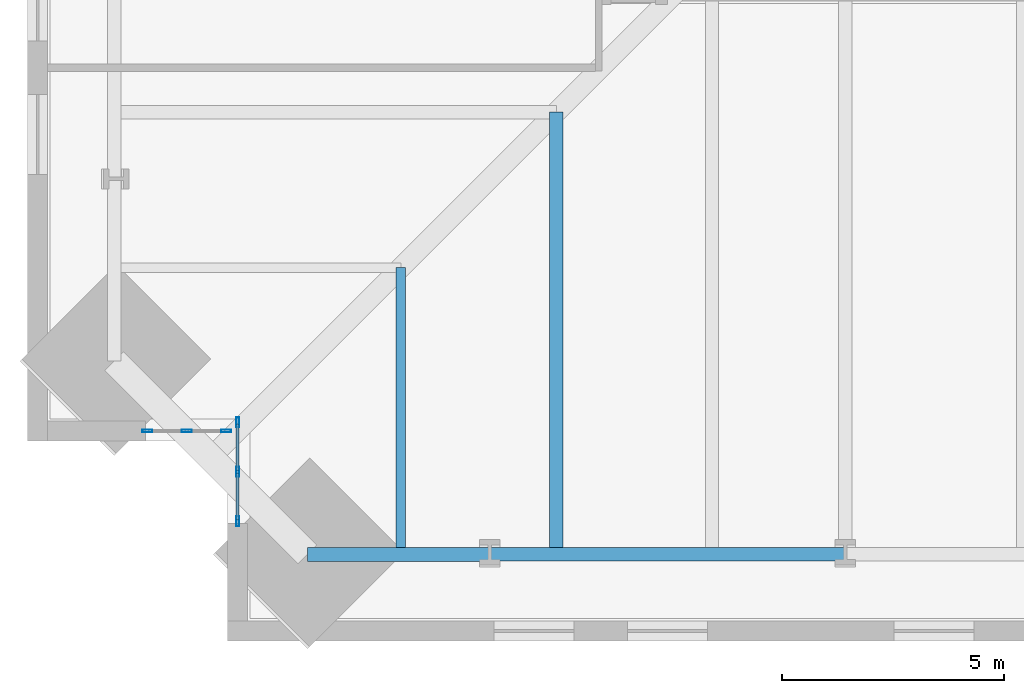
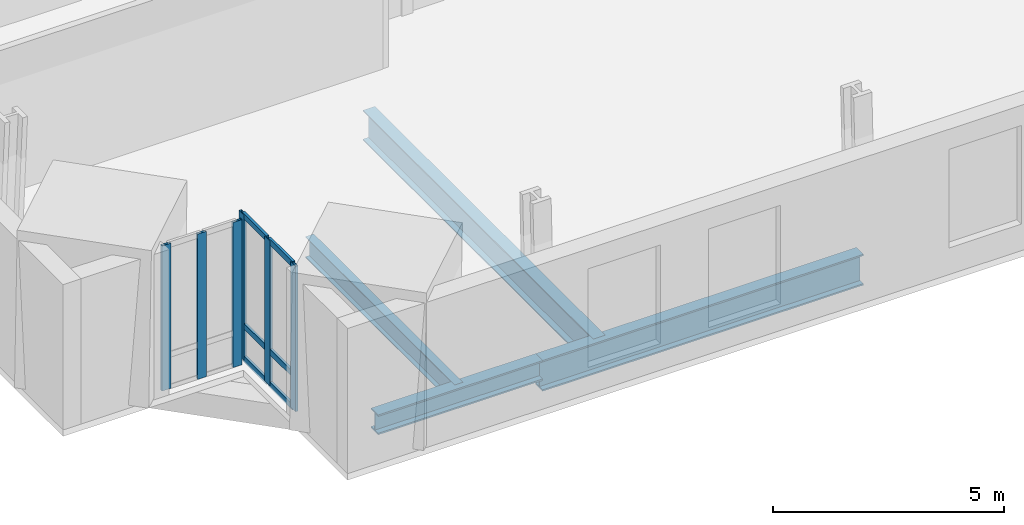
# One storey, part 2 of 18: 12 members, 4 beams, 2 elements without a shape of their own.
"""IFC4 building model written with IfcOpenShell, lengths in metres."""

from ifc_helpers import new_model, si_unit, direction, frame, origin, origin_2d, place, context, subcontext, project, spatial, hollow_rectangle, i_section, extrude, material, material_profile, profile_set, type_object, element, aggregate, save


model = new_model("IFC4")

# Units and contexts
model_context = context("Model", 3, precision=1e-05, world=origin(), true_north=direction((0.0, 1.0)))
body_context = subcontext(model_context, "Body", "Model", "MODEL_VIEW")
ifc_project = project(units=[si_unit("LENGTHUNIT", "METRE"), si_unit("AREAUNIT", "SQUARE_METRE"), si_unit("VOLUMEUNIT", "CUBIC_METRE"), si_unit("PLANEANGLEUNIT", "RADIAN"), si_unit("MASSUNIT", "GRAM", prefix="KILO")], contexts=[model_context])

# Site, building, storey
site_placement = place(None, origin())
site = spatial("IfcSite", under=ifc_project, at=site_placement, CompositionType="ELEMENT")
building_placement = place(site_placement, origin())
building = spatial("IfcBuilding", under=site, at=building_placement, Name="Peilmerk Tower", CompositionType="ELEMENT")
storey_placement = place(building_placement, frame((0.0, 0.0, 159.800048828125)))
storey = spatial("IfcBuildingStorey", under=building, at=storey_placement, Name="L33", CompositionType="ELEMENT", Elevation=159.800048828125)

# Beams
ifc_material_1 = material(Name="Steel S355", Category="steel")
ifc_material_profile_1 = material_profile(ifc_material_1, i_section(OverallWidth=0.2099609375, OverallDepth=0.550048828125, WebThickness=0.010986328125, FlangeThickness=0.01708984375, at=origin_2d()), Name="IPE 550")
ifc_profile_set_1 = profile_set([ifc_material_profile_1], Name="Steel S355")
beam_type_1 = type_object("IfcBeamType", Name="B12 IPE 550 floor beam", PredefinedType="BEAM", material=ifc_profile_set_1)
beam_1_placement = place(storey_placement, frame((-18.0, -18.0, -0.445068359375), z_axis=(0.0, -1.0, 0.0), x_axis=(1.0, 0.0, 0.0)))
element("IfcBeam", 1, at=beam_1_placement, inside=storey, type_object=beam_type_1, Name="Floor beam L33", PredefinedType="BEAM", context=body_context, shape_type="SweptSolid", body=[
    extrude(i_section(OverallWidth=0.2099609375, OverallDepth=0.550048828125, WebThickness=0.010986328125, FlangeThickness=0.01708984375, at=origin_2d()), origin(), (0.0, 0.0, 1.0), 6.453125),
])
ifc_material_profile_2 = material_profile(ifc_material_1, i_section(OverallWidth=0.302978515625, OverallDepth=0.81396484375, WebThickness=0.02099609375, FlangeThickness=0.0400390625, at=origin_2d()), Name="HEM 800")
ifc_profile_set_2 = profile_set([ifc_material_profile_2], Name="Steel S355")
beam_type_2 = type_object("IfcBeamType", Name="B15 HEM 800 edge beam", PredefinedType="SPANDREL", material=ifc_profile_set_2)
beam_2_placement = place(storey_placement, frame((-16.0, -24.453125, -0.5771484375), z_axis=(1.0, 0.0, 0.0), x_axis=(0.0, 1.0, 0.0)))
element("IfcBeam", 2, at=beam_2_placement, inside=storey, type_object=beam_type_2, Name="Edge beam L33", PredefinedType="SPANDREL", context=body_context, shape_type="SweptSolid", body=[
    extrude(i_section(OverallWidth=0.302978515625, OverallDepth=0.81396484375, WebThickness=0.02099609375, FlangeThickness=0.0400390625, at=origin_2d()), origin(), (0.0, 0.0, 1.0), 8.0),
])
ifc_material_profile_3 = material_profile(ifc_material_1, i_section(OverallWidth=0.300048828125, OverallDepth=0.7900390625, WebThickness=0.014892578125, FlangeThickness=0.028076171875, at=origin_2d()), Name="HEA 800")
ifc_profile_set_3 = profile_set([ifc_material_profile_3], Name="Steel S355")
beam_type_3 = type_object("IfcBeamType", Name="B3 HEA 800 floor beam", PredefinedType="BEAM", material=ifc_profile_set_3)
beam_3_placement = place(storey_placement, frame((-14.5, -14.5, -0.56494140625), z_axis=(0.0, -1.0, 0.0), x_axis=(1.0, 0.0, 0.0)))
element("IfcBeam", 3, at=beam_3_placement, inside=storey, type_object=beam_type_3, Name="Floor beam L33", PredefinedType="BEAM", context=body_context, shape_type="SweptSolid", body=[
    extrude(i_section(OverallWidth=0.300048828125, OverallDepth=0.7900390625, WebThickness=0.014892578125, FlangeThickness=0.028076171875, at=origin_2d()), origin(), (0.0, 0.0, 1.0), 9.953125),
])
ifc_material_profile_4 = material_profile(ifc_material_1, i_section(OverallWidth=0.305908203125, OverallDepth=0.52392578125, WebThickness=0.02099609375, FlangeThickness=0.0400390625, at=origin_2d()), Name="HEM 500")
ifc_profile_set_4 = profile_set([ifc_material_profile_4], Name="Steel S355")
beam_type_4 = type_object("IfcBeamType", Name="B33 HEM 500 edge beam", PredefinedType="SPANDREL", material=ifc_profile_set_4)
beam_4_placement = place(storey_placement, frame((-20.103271484375, -24.453125, -0.43212890625), z_axis=(1.0, 0.0, 0.0), x_axis=(0.0, 1.0, 0.0)))
element("IfcBeam", 4, at=beam_4_placement, inside=storey, type_object=beam_type_4, Name="Edge beam L33", PredefinedType="SPANDREL", context=body_context, shape_type="SweptSolid", body=[
    extrude(i_section(OverallWidth=0.305908203125, OverallDepth=0.52392578125, WebThickness=0.02099609375, FlangeThickness=0.0400390625, at=origin_2d()), origin(), (0.0, 0.0, 1.0), 4.103271484375),
])

# Curtain wall, members
ifc_material_2 = material(Name="Aluminium stick curtain wall", Category="aluminium")
curtain_wall_type = type_object("IfcCurtainWallType", Name="CW3 stick curtain wall, 2250 module", PredefinedType="NOTDEFINED", material=ifc_material_2)
curtain_wall_1_placement = place(storey_placement, origin())
curtain_wall_1 = element("IfcCurtainWall", 5, at=curtain_wall_1_placement, inside=storey, type_object=curtain_wall_type, Name="Curtain wall CW3 SWA L33", PredefinedType="NOTDEFINED")
ifc_material_3 = material(Name="Aluminium EN AW-6063 T6", Category="aluminium")
ifc_material_profile_5 = material_profile(ifc_material_3, hollow_rectangle(XDim=0.06494140625, YDim=0.22509765625, WallThickness=0.00390625, at=origin_2d()), Name="AL 225x65x4")
ifc_profile_set_5 = profile_set([ifc_material_profile_5], Name="Aluminium EN AW-6063 T6")
member_type_1 = type_object("IfcMemberType", Name="CW3-M AL 225x65x4 mullion", PredefinedType="MULLION", material=ifc_profile_set_5)
member_1_placement = place(storey_placement, frame((-21.675048828125, -21.482421875, 0.0), z_axis=(0.0, 0.0, 1.0), x_axis=(1.0, 0.0, 0.0)))
member_1 = element("IfcMember", 6, at=member_1_placement, type_object=member_type_1, Name="CW3 mullion 1", PredefinedType="MULLION", context=body_context, shape_type="SweptSolid", body=[
    extrude(hollow_rectangle(XDim=0.06494140625, YDim=0.22509765625, WallThickness=0.00390625, at=origin_2d()), origin(), (0.0, 0.0, 1.0), 3.829833984375),
])
member_2_placement = place(storey_placement, frame((-21.675048828125, -22.59423828125, 0.0), z_axis=(0.0, 0.0, 1.0), x_axis=(1.0, 0.0, 0.0)))
member_2 = element("IfcMember", 7, at=member_2_placement, type_object=member_type_1, Name="CW3 mullion 2", PredefinedType="MULLION", context=body_context, shape_type="SweptSolid", body=[
    extrude(hollow_rectangle(XDim=0.06494140625, YDim=0.22509765625, WallThickness=0.00390625, at=origin_2d()), origin(), (0.0, 0.0, 1.0), 3.829833984375),
])
member_3_placement = place(storey_placement, frame((-21.675048828125, -23.706298828125, 0.0), z_axis=(0.0, 0.0, 1.0), x_axis=(1.0, 0.0, 0.0)))
member_3 = element("IfcMember", 8, at=member_3_placement, type_object=member_type_1, Name="CW3 mullion 3", PredefinedType="MULLION", context=body_context, shape_type="SweptSolid", body=[
    extrude(hollow_rectangle(XDim=0.06494140625, YDim=0.22509765625, WallThickness=0.00390625, at=origin_2d()), origin(), (0.0, 0.0, 1.0), 3.829833984375),
])

curtain_wall_2_placement = place(storey_placement, origin())
curtain_wall_2 = element("IfcCurtainWall", 9, at=curtain_wall_2_placement, inside=storey, type_object=curtain_wall_type, Name="Curtain wall CW3 SWB L33", PredefinedType="NOTDEFINED")
member_4_placement = place(storey_placement, frame((-21.9326171875, -21.675048828125, 0.0), z_axis=(0.0, 0.0, 1.0), x_axis=(0.0, -1.0, 0.0)))
member_4 = element("IfcMember", 10, at=member_4_placement, type_object=member_type_1, Name="CW3 mullion 1", PredefinedType="MULLION", context=body_context, shape_type="SweptSolid", body=[
    extrude(hollow_rectangle(XDim=0.06494140625, YDim=0.22509765625, WallThickness=0.00390625, at=origin_2d()), origin(), (0.0, 0.0, 1.0), 3.829833984375),
])
member_5_placement = place(storey_placement, frame((-22.8193359375, -21.675048828125, 0.0), z_axis=(0.0, 0.0, 1.0), x_axis=(0.0, -1.0, 0.0)))
member_5 = element("IfcMember", 11, at=member_5_placement, type_object=member_type_1, Name="CW3 mullion 2", PredefinedType="MULLION", context=body_context, shape_type="SweptSolid", body=[
    extrude(hollow_rectangle(XDim=0.06494140625, YDim=0.22509765625, WallThickness=0.00390625, at=origin_2d()), origin(), (0.0, 0.0, 1.0), 3.829833984375),
])
member_6_placement = place(storey_placement, frame((-23.706298828125, -21.675048828125, 0.0), z_axis=(0.0, 0.0, 1.0), x_axis=(0.0, -1.0, 0.0)))
member_6 = element("IfcMember", 12, at=member_6_placement, type_object=member_type_1, Name="CW3 mullion 3", PredefinedType="MULLION", context=body_context, shape_type="SweptSolid", body=[
    extrude(hollow_rectangle(XDim=0.06494140625, YDim=0.22509765625, WallThickness=0.00390625, at=origin_2d()), origin(), (0.0, 0.0, 1.0), 3.829833984375),
])
aggregate(curtain_wall_2, [member_4, member_5, member_6])

# Member
ifc_material_profile_6 = material_profile(ifc_material_3, hollow_rectangle(XDim=0.06494140625, YDim=0.14990234375, WallThickness=0.0029296875, at=origin_2d()), Name="AL 150x65x3")
ifc_profile_set_6 = profile_set([ifc_material_profile_6], Name="Aluminium EN AW-6063 T6")
member_type_2 = type_object("IfcMemberType", Name="CW3-T AL 150x65x3 transom", PredefinedType="USERDEFINED", material=ifc_profile_set_6)
member_7_placement = place(storey_placement, frame((-21.675048828125, -21.514892578125, 0.032470703125), z_axis=(0.0, -1.0, 0.0), x_axis=(1.0, 0.0, 0.0)))
member_7 = element("IfcMember", 13, at=member_7_placement, type_object=member_type_2, Name="CW3 transom 1.1", ObjectType="TRANSOM", PredefinedType="USERDEFINED", context=body_context, shape_type="SweptSolid", body=[
    extrude(hollow_rectangle(XDim=0.06494140625, YDim=0.14990234375, WallThickness=0.0029296875, at=origin_2d()), origin(), (0.0, 0.0, 1.0), 1.046875),
])

member_8_placement = place(storey_placement, frame((-21.675048828125, -21.514892578125, 0.89990234375), z_axis=(0.0, -1.0, 0.0), x_axis=(1.0, 0.0, 0.0)))
member_8 = element("IfcMember", 14, at=member_8_placement, type_object=member_type_2, Name="CW3 transom 1.2", ObjectType="TRANSOM", PredefinedType="USERDEFINED", context=body_context, shape_type="SweptSolid", body=[
    extrude(hollow_rectangle(XDim=0.06494140625, YDim=0.14990234375, WallThickness=0.0029296875, at=origin_2d()), origin(), (0.0, 0.0, 1.0), 1.046875),
])

member_9_placement = place(storey_placement, frame((-21.675048828125, -21.514892578125, 3.79736328125), z_axis=(0.0, -1.0, 0.0), x_axis=(1.0, 0.0, 0.0)))
member_9 = element("IfcMember", 15, at=member_9_placement, type_object=member_type_2, Name="CW3 transom 1.3", ObjectType="TRANSOM", PredefinedType="USERDEFINED", context=body_context, shape_type="SweptSolid", body=[
    extrude(hollow_rectangle(XDim=0.06494140625, YDim=0.14990234375, WallThickness=0.0029296875, at=origin_2d()), origin(), (0.0, 0.0, 1.0), 1.046875),
])

member_10_placement = place(storey_placement, frame((-21.675048828125, -22.626953125, 0.032470703125), z_axis=(0.0, -1.0, 0.0), x_axis=(1.0, 0.0, 0.0)))
member_10 = element("IfcMember", 16, at=member_10_placement, type_object=member_type_2, Name="CW3 transom 2.1", ObjectType="TRANSOM", PredefinedType="USERDEFINED", context=body_context, shape_type="SweptSolid", body=[
    extrude(hollow_rectangle(XDim=0.06494140625, YDim=0.14990234375, WallThickness=0.0029296875, at=origin_2d()), origin(), (0.0, 0.0, 1.0), 1.046630859375),
])

member_11_placement = place(storey_placement, frame((-21.675048828125, -22.626953125, 0.89990234375), z_axis=(0.0, -1.0, 0.0), x_axis=(1.0, 0.0, 0.0)))
member_11 = element("IfcMember", 17, at=member_11_placement, type_object=member_type_2, Name="CW3 transom 2.2", ObjectType="TRANSOM", PredefinedType="USERDEFINED", context=body_context, shape_type="SweptSolid", body=[
    extrude(hollow_rectangle(XDim=0.06494140625, YDim=0.14990234375, WallThickness=0.0029296875, at=origin_2d()), origin(), (0.0, 0.0, 1.0), 1.046630859375),
])

member_12_placement = place(storey_placement, frame((-21.675048828125, -22.626953125, 3.79736328125), z_axis=(0.0, -1.0, 0.0), x_axis=(1.0, 0.0, 0.0)))
member_12 = element("IfcMember", 18, at=member_12_placement, type_object=member_type_2, Name="CW3 transom 2.3", ObjectType="TRANSOM", PredefinedType="USERDEFINED", context=body_context, shape_type="SweptSolid", body=[
    extrude(hollow_rectangle(XDim=0.06494140625, YDim=0.14990234375, WallThickness=0.0029296875, at=origin_2d()), origin(), (0.0, 0.0, 1.0), 1.046630859375),
])

aggregate(curtain_wall_1, [member_1, member_2, member_3, member_7, member_8, member_9, member_10, member_11, member_12])

save(model, "model.ifc")
